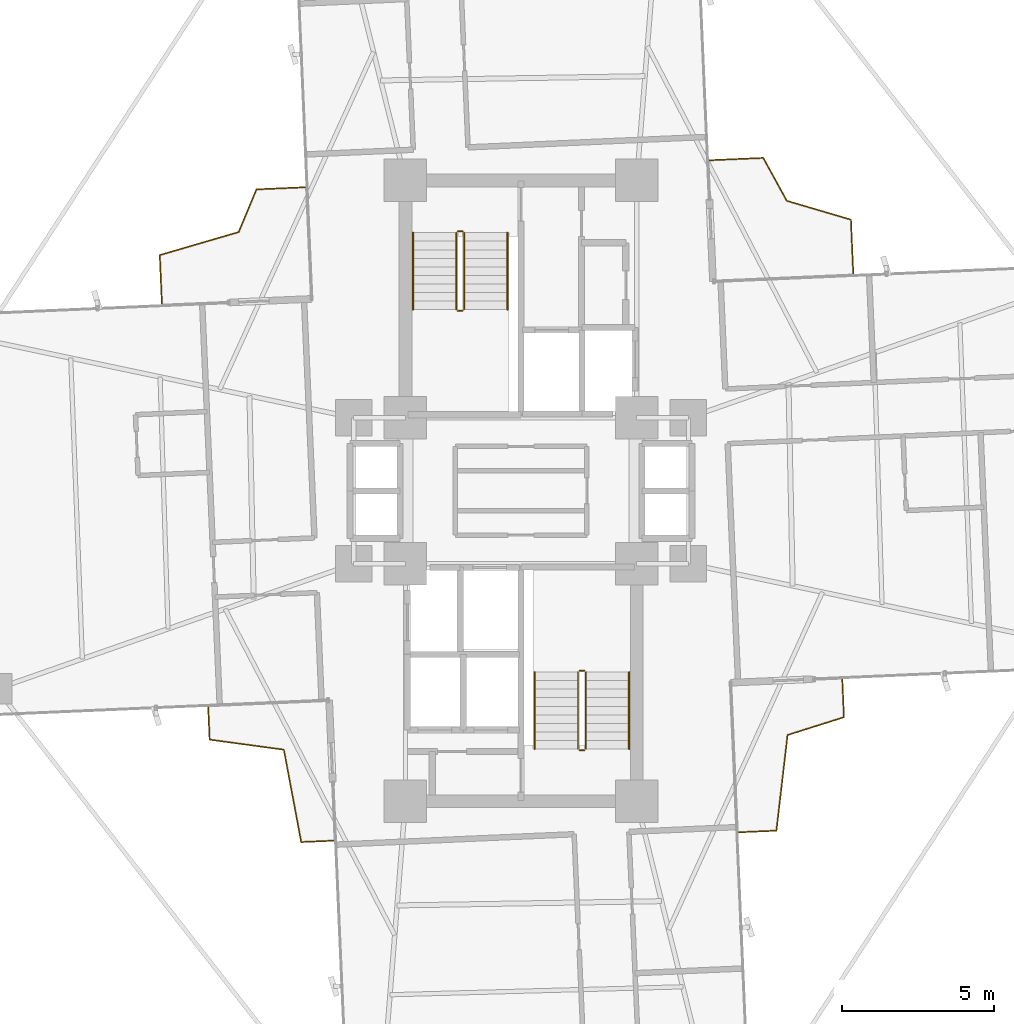
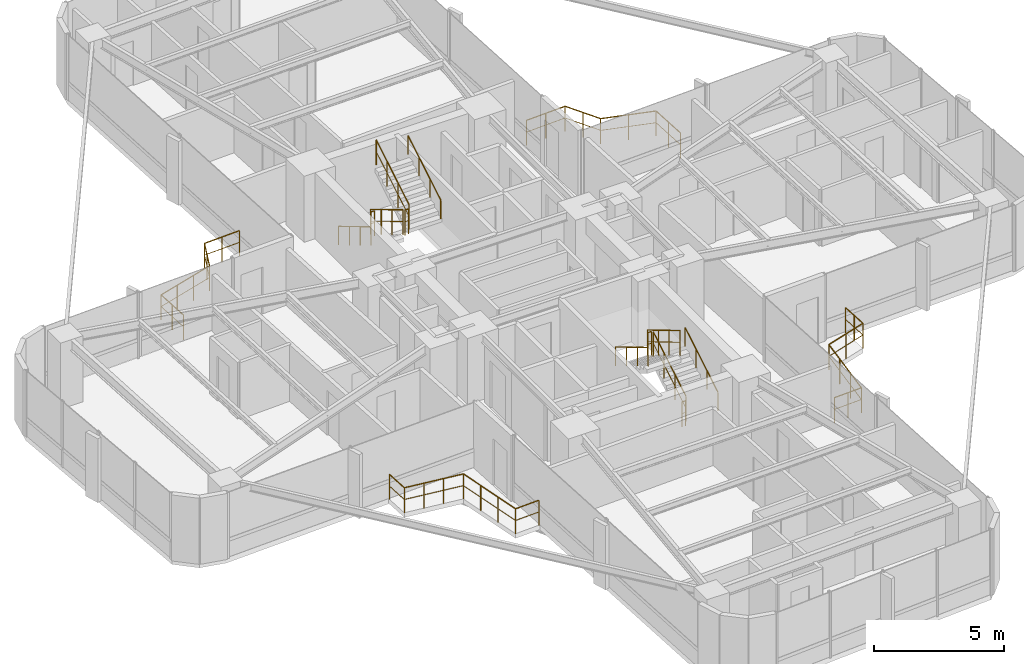
# One storey, part 26 of 26: 16 railings.
"""IFC4 building model written with IfcOpenShell, lengths in metres."""

from ifc_helpers import new_model, si_unit, direction, frame, origin, origin_2d, place, context, subcontext, project, spatial, circle, extrude, material, type_object, element, save


model = new_model("IFC4")

# Units and contexts
model_context = context("Model", 3, precision=1e-05, world=origin(), true_north=direction((0.0, 1.0)))
body_context = subcontext(model_context, "Body", "Model", "MODEL_VIEW")
ifc_project = project(units=[si_unit("LENGTHUNIT", "METRE"), si_unit("AREAUNIT", "SQUARE_METRE"), si_unit("VOLUMEUNIT", "CUBIC_METRE"), si_unit("PLANEANGLEUNIT", "RADIAN"), si_unit("MASSUNIT", "GRAM", prefix="KILO")], contexts=[model_context])

# Site, building, storey
site_placement = place(None, origin())
site = spatial("IfcSite", under=ifc_project, at=site_placement, CompositionType="ELEMENT")
building_placement = place(site_placement, origin())
building = spatial("IfcBuilding", under=site, at=building_placement, Name="Sahyath Konkavel Grand Hotel", CompositionType="ELEMENT")
storey_placement = place(building_placement, frame((0.0, 0.0, 128.199951171875)))
storey = spatial("IfcBuildingStorey", under=building, at=storey_placement, Name="L35", CompositionType="ELEMENT", Elevation=128.199951171875)

# Railings
ifc_material_1 = material(Name="Anodised Bronze Aluminium", Category="aluminium")
railing_type_1 = type_object("IfcRailingType", Name="RLG-BALC-1200", PredefinedType="GUARDRAIL", material=ifc_material_1)
railing_1_placement = place(storey_placement, frame((10.916748046875, 7.14306640625, 0.0)))
element("IfcRailing", 1, at=railing_1_placement, inside=storey, type_object=railing_type_1, Name="L35 Winter-Garden Guard NE", PredefinedType="GUARDRAIL", context=body_context, shape_type="SweptSolid", body=[
    extrude(circle(Radius=0.02392578125, at=origin_2d()), frame((0.0, 0.001953125, 1.17578125), z_axis=(-0.043616920703, 0.999048329276, 0.0), x_axis=(-0.999048329276, -0.043616920703, 0.0)), (0.0, 0.0, 1.0), 1.764892578125),
    extrude(circle(Radius=0.01416015625, at=origin_2d()), frame((0.0, 0.001953125, 0.6240234375), z_axis=(-0.043616920703, 0.999048329276, 0.0), x_axis=(-0.999048329276, -0.043616920703, 0.0)), (0.0, 0.0, 1.0), 1.764892578125),
    extrude(circle(Radius=0.02392578125, at=origin_2d()), frame((-0.0791015625, 1.767578125, 1.17578125), z_axis=(-0.959342486793, 0.282244562453, 0.0), x_axis=(-0.282244562453, -0.959342486793, 0.0)), (0.0, 0.0, 1.0), 2.192138671875),
    extrude(circle(Radius=0.01416015625, at=origin_2d()), frame((-0.0791015625, 1.767578125, 0.6240234375), z_axis=(-0.959342486793, 0.282244562453, 0.0), x_axis=(-0.282244562453, -0.959342486793, 0.0)), (0.0, 0.0, 1.0), 2.192138671875),
    extrude(circle(Radius=0.02392578125, at=origin_2d()), frame((-2.18505859375, 2.388671875, 1.17578125), z_axis=(-0.481020878496, 0.876709139026, 0.0), x_axis=(-0.876709139026, -0.481020878496, 0.0)), (0.0, 0.0, 1.0), 1.60400390625),
    extrude(circle(Radius=0.01416015625, at=origin_2d()), frame((-2.18505859375, 2.388671875, 0.6240234375), z_axis=(-0.481020878496, 0.876709139026, 0.0), x_axis=(-0.876709139026, -0.481020878496, 0.0)), (0.0, 0.0, 1.0), 1.60400390625),
    extrude(circle(Radius=0.02392578125, at=origin_2d()), frame((-2.95947265625, 3.796630859375, 1.17578125), z_axis=(-0.999042305176, -0.043754685098, 0.0), x_axis=(0.043754685098, -0.999042305176, 0.0)), (0.0, 0.0, 1.0), 1.764892578125),
    extrude(circle(Radius=0.01416015625, at=origin_2d()), frame((-2.95947265625, 3.796630859375, 0.6240234375), z_axis=(-0.999042305176, -0.043754685098, 0.0), x_axis=(0.043754685098, -0.999042305176, 0.0)), (0.0, 0.0, 1.0), 1.764892578125),
    extrude(circle(Radius=0.02099609375, at=origin_2d()), origin(), (0.0, 0.0, 1.0), 1.15185546875),
    extrude(circle(Radius=0.02099609375, at=origin_2d()), frame((-0.03857421875, 0.883544921875, 0.0)), (0.0, 0.0, 1.0), 1.15185546875),
    extrude(circle(Radius=0.02099609375, at=origin_2d()), frame((-0.0771484375, 1.76708984375, 0.0)), (0.0, 0.0, 1.0), 1.15185546875),
    extrude(circle(Radius=0.02099609375, at=origin_2d()), frame((-1.130615234375, 2.0771484375, 0.0)), (0.0, 0.0, 1.0), 1.15185546875),
    extrude(circle(Radius=0.02099609375, at=origin_2d()), frame((-2.18408203125, 2.386962890625, 0.0)), (0.0, 0.0, 1.0), 1.15185546875),
    extrude(circle(Radius=0.02099609375, at=origin_2d()), frame((-2.57080078125, 3.091796875, 0.0)), (0.0, 0.0, 1.0), 1.15185546875),
    extrude(circle(Radius=0.02099609375, at=origin_2d()), frame((-2.95751953125, 3.796630859375, 0.0)), (0.0, 0.0, 1.0), 1.15185546875),
    extrude(circle(Radius=0.02099609375, at=origin_2d()), frame((-3.841064453125, 3.7578125, 0.0)), (0.0, 0.0, 1.0), 1.15185546875),
    extrude(circle(Radius=0.02099609375, at=origin_2d()), frame((-4.724609375, 3.71923828125, 0.0)), (0.0, 0.0, 1.0), 1.15185546875),
])
railing_2_placement = place(storey_placement, frame((-7.101806640625, 9.9755859375, 0.0)))
element("IfcRailing", 2, at=railing_2_placement, inside=storey, type_object=railing_type_1, Name="L35 Winter-Garden Guard NW", PredefinedType="GUARDRAIL", context=body_context, shape_type="SweptSolid", body=[
    extrude(circle(Radius=0.02392578125, at=origin_2d()), frame((-0.001953125, 0.0, 1.17578125), z_axis=(-0.999049218693, -0.043596543765, 0.0), x_axis=(0.043596543765, -0.999049218693, 0.0)), (0.0, 0.0, 1.0), 1.592041015625),
    extrude(circle(Radius=0.01416015625, at=origin_2d()), frame((-0.001953125, 0.0, 0.6240234375), z_axis=(-0.999049218693, -0.043596543765, 0.0), x_axis=(0.043596543765, -0.999049218693, 0.0)), (0.0, 0.0, 1.0), 1.592041015625),
    extrude(circle(Radius=0.02392578125, at=origin_2d()), frame((-1.59521484375, -0.071533203125, 1.17578125), z_axis=(-0.384101807296, -0.923290745991, 0.0), x_axis=(0.923290745991, -0.384101807296, 0.0)), (0.0, 0.0, 1.0), 1.51513671875),
    extrude(circle(Radius=0.01416015625, at=origin_2d()), frame((-1.59521484375, -0.071533203125, 0.6240234375), z_axis=(-0.384101807296, -0.923290745991, 0.0), x_axis=(0.923290745991, -0.384101807296, 0.0)), (0.0, 0.0, 1.0), 1.51513671875),
    extrude(circle(Radius=0.02392578125, at=origin_2d()), frame((-2.179931640625, -1.47265625, 1.17578125), z_axis=(-0.959863265819, -0.280468377775, 0.0), x_axis=(0.280468377775, -0.959863265819, 0.0)), (0.0, 0.0, 1.0), 2.697998046875),
    extrude(circle(Radius=0.01416015625, at=origin_2d()), frame((-2.179931640625, -1.47265625, 0.6240234375), z_axis=(-0.959863265819, -0.280468377775, 0.0), x_axis=(0.280468377775, -0.959863265819, 0.0)), (0.0, 0.0, 1.0), 2.697998046875),
    extrude(circle(Radius=0.02392578125, at=origin_2d()), frame((-4.771484375, -2.23193359375, 1.17578125), z_axis=(0.04374253696, -0.99904283715, 0.0), x_axis=(0.99904283715, 0.04374253696, 0.0)), (0.0, 0.0, 1.0), 1.59228515625),
    extrude(circle(Radius=0.01416015625, at=origin_2d()), frame((-4.771484375, -2.23193359375, 0.6240234375), z_axis=(0.04374253696, -0.99904283715, 0.0), x_axis=(0.99904283715, 0.04374253696, 0.0)), (0.0, 0.0, 1.0), 1.59228515625),
    extrude(circle(Radius=0.02099609375, at=origin_2d()), origin(), (0.0, 0.0, 1.0), 1.15185546875),
    extrude(circle(Radius=0.02099609375, at=origin_2d()), frame((-0.79736328125, -0.03466796875, 0.0)), (0.0, 0.0, 1.0), 1.15185546875),
    extrude(circle(Radius=0.02099609375, at=origin_2d()), frame((-1.594482421875, -0.069580078125, 0.0)), (0.0, 0.0, 1.0), 1.15185546875),
    extrude(circle(Radius=0.02099609375, at=origin_2d()), frame((-1.88623046875, -0.77099609375, 0.0)), (0.0, 0.0, 1.0), 1.15185546875),
    extrude(circle(Radius=0.02099609375, at=origin_2d()), frame((-2.177978515625, -1.47216796875, 0.0)), (0.0, 0.0, 1.0), 1.15185546875),
    extrude(circle(Radius=0.02099609375, at=origin_2d()), frame((-3.04248046875, -1.724853515625, 0.0)), (0.0, 0.0, 1.0), 1.15185546875),
    extrude(circle(Radius=0.02099609375, at=origin_2d()), frame((-3.906982421875, -1.977294921875, 0.0)), (0.0, 0.0, 1.0), 1.15185546875),
    extrude(circle(Radius=0.02099609375, at=origin_2d()), frame((-4.771484375, -2.22998046875, 0.0)), (0.0, 0.0, 1.0), 1.15185546875),
    extrude(circle(Radius=0.02099609375, at=origin_2d()), frame((-4.736572265625, -3.02734375, 0.0)), (0.0, 0.0, 1.0), 1.15185546875),
    extrude(circle(Radius=0.02099609375, at=origin_2d()), frame((-4.70166015625, -3.82470703125, 0.0)), (0.0, 0.0, 1.0), 1.15185546875),
])
railing_3_placement = place(storey_placement, frame((-10.281494140625, -7.115234375, 0.0)))
element("IfcRailing", 3, at=railing_3_placement, inside=storey, type_object=railing_type_1, Name="L35 Winter-Garden Guard SW", PredefinedType="GUARDRAIL", context=body_context, shape_type="SweptSolid", body=[
    extrude(circle(Radius=0.02392578125, at=origin_2d()), frame((0.0, -0.001953125, 1.17578125), z_axis=(0.043626546244, -0.999047908993, 0.0), x_axis=(0.999047908993, 0.043626546244, 0.0)), (0.0, 0.0, 1.0), 1.059326171875),
    extrude(circle(Radius=0.01416015625, at=origin_2d()), frame((0.0, -0.001953125, 0.6240234375), z_axis=(0.043626546244, -0.999047908993, 0.0), x_axis=(0.999047908993, 0.043626546244, 0.0)), (0.0, 0.0, 1.0), 1.059326171875),
    extrude(circle(Radius=0.02392578125, at=origin_2d()), frame((0.04833984375, -1.0625, 1.17578125), z_axis=(0.990924699032, -0.134418156691, 0.0), x_axis=(0.134418156691, 0.990924699032, 0.0)), (0.0, 0.0, 1.0), 2.45703125),
    extrude(circle(Radius=0.01416015625, at=origin_2d()), frame((0.04833984375, -1.0625, 0.6240234375), z_axis=(0.990924699032, -0.134418156691, 0.0), x_axis=(0.134418156691, 0.990924699032, 0.0)), (0.0, 0.0, 1.0), 2.45703125),
    extrude(circle(Radius=0.02392578125, at=origin_2d()), frame((2.485595703125, -1.39501953125, 1.17578125), z_axis=(0.184474643818, -0.9828372733, 0.0), x_axis=(0.9828372733, 0.184474643818, 0.0)), (0.0, 0.0, 1.0), 3.0849609375),
    extrude(circle(Radius=0.01416015625, at=origin_2d()), frame((2.485595703125, -1.39501953125, 0.6240234375), z_axis=(0.184474643818, -0.9828372733, 0.0), x_axis=(0.9828372733, 0.184474643818, 0.0)), (0.0, 0.0, 1.0), 3.0849609375),
    extrude(circle(Radius=0.02392578125, at=origin_2d()), frame((3.056884765625, -4.428955078125, 1.17578125), z_axis=(0.999047908993, 0.043626546244, 0.0), x_axis=(-0.043626546244, 0.999047908993, 0.0)), (0.0, 0.0, 1.0), 1.059326171875),
    extrude(circle(Radius=0.01416015625, at=origin_2d()), frame((3.056884765625, -4.428955078125, 0.6240234375), z_axis=(0.999047908993, 0.043626546244, 0.0), x_axis=(-0.043626546244, 0.999047908993, 0.0)), (0.0, 0.0, 1.0), 1.059326171875),
    extrude(circle(Radius=0.02099609375, at=origin_2d()), origin(), (0.0, 0.0, 1.0), 1.15185546875),
    extrude(circle(Radius=0.02099609375, at=origin_2d()), frame((0.04638671875, -1.062255859375, 0.0)), (0.0, 0.0, 1.0), 1.15185546875),
    extrude(circle(Radius=0.02099609375, at=origin_2d()), frame((0.859375, -1.172607421875, 0.0)), (0.0, 0.0, 1.0), 1.15185546875),
    extrude(circle(Radius=0.02099609375, at=origin_2d()), frame((1.672119140625, -1.28271484375, 0.0)), (0.0, 0.0, 1.0), 1.15185546875),
    extrude(circle(Radius=0.02099609375, at=origin_2d()), frame((2.485107421875, -1.39306640625, 0.0)), (0.0, 0.0, 1.0), 1.15185546875),
    extrude(circle(Radius=0.02099609375, at=origin_2d()), frame((2.675048828125, -2.405029296875, 0.0)), (0.0, 0.0, 1.0), 1.15185546875),
    extrude(circle(Radius=0.02099609375, at=origin_2d()), frame((2.864990234375, -3.4169921875, 0.0)), (0.0, 0.0, 1.0), 1.15185546875),
    extrude(circle(Radius=0.02099609375, at=origin_2d()), frame((3.054931640625, -4.428955078125, 0.0)), (0.0, 0.0, 1.0), 1.15185546875),
    extrude(circle(Radius=0.02099609375, at=origin_2d()), frame((4.1171875, -4.382568359375, 0.0)), (0.0, 0.0, 1.0), 1.15185546875),
])
railing_4_placement = place(storey_placement, frame((7.15625, -11.222412109375, 0.0)))
element("IfcRailing", 4, at=railing_4_placement, inside=storey, type_object=railing_type_1, Name="L35 Winter-Garden Guard SE", PredefinedType="GUARDRAIL", context=body_context, shape_type="SweptSolid", body=[
    extrude(circle(Radius=0.02392578125, at=origin_2d()), frame((0.001953125, 0.0, 1.17578125), z_axis=(0.99905541285, 0.043454367502, 0.0), x_axis=(-0.043454367502, 0.99905541285, 0.0)), (0.0, 0.0, 1.0), 1.23193359375),
    extrude(circle(Radius=0.01416015625, at=origin_2d()), frame((0.001953125, 0.0, 0.6240234375), z_axis=(0.99905541285, 0.043454367502, 0.0), x_axis=(-0.043454367502, 0.99905541285, 0.0)), (0.0, 0.0, 1.0), 1.23193359375),
    extrude(circle(Radius=0.02392578125, at=origin_2d()), frame((1.235107421875, 0.0556640625, 1.17578125), z_axis=(0.116035465783, 0.993245070806, 0.0), x_axis=(-0.993245070806, 0.116035465783, 0.0)), (0.0, 0.0, 1.0), 3.160400390625),
    extrude(circle(Radius=0.01416015625, at=origin_2d()), frame((1.235107421875, 0.0556640625, 0.6240234375), z_axis=(0.116035465783, 0.993245070806, 0.0), x_axis=(-0.993245070806, 0.116035465783, 0.0)), (0.0, 0.0, 1.0), 3.160400390625),
    extrude(circle(Radius=0.02392578125, at=origin_2d()), frame((1.60400390625, 3.197265625, 1.17578125), z_axis=(0.953506659141, 0.301371947887, 0.0), x_axis=(-0.301371947887, 0.953506659141, 0.0)), (0.0, 0.0, 1.0), 1.938720703125),
    extrude(circle(Radius=0.01416015625, at=origin_2d()), frame((1.60400390625, 3.197265625, 0.6240234375), z_axis=(0.953506659141, 0.301371947887, 0.0), x_axis=(-0.301371947887, 0.953506659141, 0.0)), (0.0, 0.0, 1.0), 1.938720703125),
    extrude(circle(Radius=0.02392578125, at=origin_2d()), frame((3.454345703125, 3.7841796875, 1.17578125), z_axis=(-0.043651511839, 0.99904681848, 0.0), x_axis=(-0.99904681848, -0.043651511839, 0.0)), (0.0, 0.0, 1.0), 1.23193359375),
    extrude(circle(Radius=0.01416015625, at=origin_2d()), frame((3.454345703125, 3.7841796875, 0.6240234375), z_axis=(-0.043651511839, 0.99904681848, 0.0), x_axis=(-0.99904681848, -0.043651511839, 0.0)), (0.0, 0.0, 1.0), 1.23193359375),
    extrude(circle(Radius=0.02099609375, at=origin_2d()), origin(), (0.0, 0.0, 1.0), 1.15185546875),
    extrude(circle(Radius=0.02099609375, at=origin_2d()), frame((0.617431640625, 0.02685546875, 0.0)), (0.0, 0.0, 1.0), 1.15185546875),
    extrude(circle(Radius=0.02099609375, at=origin_2d()), frame((1.23486328125, 0.0537109375, 0.0)), (0.0, 0.0, 1.0), 1.15185546875),
    extrude(circle(Radius=0.02099609375, at=origin_2d()), frame((1.357177734375, 1.101318359375, 0.0)), (0.0, 0.0, 1.0), 1.15185546875),
    extrude(circle(Radius=0.02099609375, at=origin_2d()), frame((1.479736328125, 2.149169921875, 0.0)), (0.0, 0.0, 1.0), 1.15185546875),
    extrude(circle(Radius=0.02099609375, at=origin_2d()), frame((1.60205078125, 3.19677734375, 0.0)), (0.0, 0.0, 1.0), 1.15185546875),
    extrude(circle(Radius=0.02099609375, at=origin_2d()), frame((2.5283203125, 3.489501953125, 0.0)), (0.0, 0.0, 1.0), 1.15185546875),
    extrude(circle(Radius=0.02099609375, at=origin_2d()), frame((3.454345703125, 3.7822265625, 0.0)), (0.0, 0.0, 1.0), 1.15185546875),
    extrude(circle(Radius=0.02099609375, at=origin_2d()), frame((3.42724609375, 4.399658203125, 0.0)), (0.0, 0.0, 1.0), 1.15185546875),
    extrude(circle(Radius=0.02099609375, at=origin_2d()), frame((3.400390625, 5.01708984375, 0.0)), (0.0, 0.0, 1.0), 1.15185546875),
])
ifc_material_2 = material(Name="Steel E350", Category="steel")
railing_type_2 = type_object("IfcRailingType", Name="RLG-STAIR-GRD", PredefinedType="GUARDRAIL", material=ifc_material_2)
railing_5_placement = place(storey_placement, frame((-2.1298828125, 8.47998046875, 0.16748046875)))
element("IfcRailing", 5, at=railing_5_placement, inside=storey, type_object=railing_type_2, Name="L35 ST-1 stair guard 1", PredefinedType="GUARDRAIL", context=body_context, shape_type="SweptSolid", body=[
    extrude(circle(Radius=0.02392578125, at=origin_2d()), frame((0.0, -0.001708984375, 1.177001953125), z_axis=(0.0, -0.858159760407, 0.513382728203), x_axis=(1.0, 0.0, 0.0)), (0.0, 0.0, 1.0), 2.9326171875),
    extrude(circle(Radius=0.01416015625, at=origin_2d()), frame((0.0, -0.001708984375, 0.625), z_axis=(0.0, -0.858159760407, 0.513382728203), x_axis=(1.0, 0.0, 0.0)), (0.0, 0.0, 1.0), 2.9326171875),
    extrude(circle(Radius=0.02099609375, at=origin_2d()), origin(), (0.0, 0.0, 1.0), 1.15185546875),
    extrude(circle(Radius=0.02099609375, at=origin_2d()), frame((0.0, -0.840087890625, 0.50244140625)), (0.0, 0.0, 1.0), 1.15185546875),
    extrude(circle(Radius=0.02099609375, at=origin_2d()), frame((0.0, -1.679931640625, 1.005126953125)), (0.0, 0.0, 1.0), 1.15185546875),
    extrude(circle(Radius=0.02099609375, at=origin_2d()), frame((0.0, -2.52001953125, 1.507568359375)), (0.0, 0.0, 1.0), 1.15185546875),
])
railing_6_placement = place(storey_placement, frame((-2.080078125, 5.909912109375, 1.675048828125)))
element("IfcRailing", 6, at=railing_6_placement, inside=storey, type_object=railing_type_2, Name="L35 ST-1 stair guard 2", PredefinedType="GUARDRAIL", context=body_context, shape_type="SweptSolid", body=[
    extrude(circle(Radius=0.02392578125, at=origin_2d()), frame((0.001953125, 0.0, 1.17578125), z_axis=(1.0, 0.0, 0.0), x_axis=(0.0, 1.0, 0.0)), (0.0, 0.0, 1.0), 0.15625),
    extrude(circle(Radius=0.01416015625, at=origin_2d()), frame((0.001953125, 0.0, 0.6240234375), z_axis=(1.0, 0.0, 0.0), x_axis=(0.0, 1.0, 0.0)), (0.0, 0.0, 1.0), 0.15625),
    extrude(circle(Radius=0.02099609375, at=origin_2d()), origin(), (0.0, 0.0, 1.0), 1.15185546875),
    extrude(circle(Radius=0.02099609375, at=origin_2d()), frame((0.16015625, 0.0, 0.0)), (0.0, 0.0, 1.0), 1.15185546875),
])
railing_7_placement = place(storey_placement, frame((-1.8701171875, 5.9599609375, 1.842529296875)))
element("IfcRailing", 7, at=railing_7_placement, inside=storey, type_object=railing_type_2, Name="L35 ST-1 stair guard 3", PredefinedType="GUARDRAIL", context=body_context, shape_type="SweptSolid", body=[
    extrude(circle(Radius=0.02392578125, at=origin_2d()), frame((0.0, 0.001708984375, 1.177001953125), z_axis=(0.0, 0.858159760407, 0.513382728203), x_axis=(-1.0, 0.0, 0.0)), (0.0, 0.0, 1.0), 2.9326171875),
    extrude(circle(Radius=0.01416015625, at=origin_2d()), frame((0.0, 0.001708984375, 0.625), z_axis=(0.0, 0.858159760407, 0.513382728203), x_axis=(-1.0, 0.0, 0.0)), (0.0, 0.0, 1.0), 2.9326171875),
    extrude(circle(Radius=0.02099609375, at=origin_2d()), origin(), (0.0, 0.0, 1.0), 1.15185546875),
    extrude(circle(Radius=0.02099609375, at=origin_2d()), frame((0.0, 0.840087890625, 0.50244140625)), (0.0, 0.0, 1.0), 1.15185546875),
    extrude(circle(Radius=0.02099609375, at=origin_2d()), frame((0.0, 1.679931640625, 1.005126953125)), (0.0, 0.0, 1.0), 1.15185546875),
    extrude(circle(Radius=0.02099609375, at=origin_2d()), frame((0.0, 2.52001953125, 1.507568359375)), (0.0, 0.0, 1.0), 1.15185546875),
])
railing_8_placement = place(storey_placement, frame((-2.080078125, 8.530029296875, 0.0)))
element("IfcRailing", 8, at=railing_8_placement, inside=storey, type_object=railing_type_2, Name="L35 ST-1 stair guard 4", PredefinedType="GUARDRAIL", context=body_context, shape_type="SweptSolid", body=[
    extrude(circle(Radius=0.02392578125, at=origin_2d()), frame((0.001953125, 0.0, 1.17578125), z_axis=(1.0, 0.0, 0.0), x_axis=(0.0, 1.0, 0.0)), (0.0, 0.0, 1.0), 0.15625),
    extrude(circle(Radius=0.01416015625, at=origin_2d()), frame((0.001953125, 0.0, 0.6240234375), z_axis=(1.0, 0.0, 0.0), x_axis=(0.0, 1.0, 0.0)), (0.0, 0.0, 1.0), 0.15625),
    extrude(circle(Radius=0.02099609375, at=origin_2d()), origin(), (0.0, 0.0, 1.0), 1.15185546875),
    extrude(circle(Radius=0.02099609375, at=origin_2d()), frame((0.16015625, 0.0, 0.0)), (0.0, 0.0, 1.0), 1.15185546875),
])
railing_9_placement = place(storey_placement, frame((2.1298828125, -8.47998046875, 0.16748046875)))
element("IfcRailing", 9, at=railing_9_placement, inside=storey, type_object=railing_type_2, Name="L35 ST-2 stair guard 1", PredefinedType="GUARDRAIL", context=body_context, shape_type="SweptSolid", body=[
    extrude(circle(Radius=0.02392578125, at=origin_2d()), frame((0.0, 0.001708984375, 1.177001953125), z_axis=(0.0, 0.858159760407, 0.513382728203), x_axis=(-1.0, 0.0, 0.0)), (0.0, 0.0, 1.0), 2.9326171875),
    extrude(circle(Radius=0.01416015625, at=origin_2d()), frame((0.0, 0.001708984375, 0.625), z_axis=(0.0, 0.858159760407, 0.513382728203), x_axis=(-1.0, 0.0, 0.0)), (0.0, 0.0, 1.0), 2.9326171875),
    extrude(circle(Radius=0.02099609375, at=origin_2d()), origin(), (0.0, 0.0, 1.0), 1.15185546875),
    extrude(circle(Radius=0.02099609375, at=origin_2d()), frame((0.0, 0.840087890625, 0.50244140625)), (0.0, 0.0, 1.0), 1.15185546875),
    extrude(circle(Radius=0.02099609375, at=origin_2d()), frame((0.0, 1.679931640625, 1.005126953125)), (0.0, 0.0, 1.0), 1.15185546875),
    extrude(circle(Radius=0.02099609375, at=origin_2d()), frame((0.0, 2.52001953125, 1.507568359375)), (0.0, 0.0, 1.0), 1.15185546875),
])
railing_10_placement = place(storey_placement, frame((2.080078125, -5.909912109375, 1.675048828125)))
element("IfcRailing", 10, at=railing_10_placement, inside=storey, type_object=railing_type_2, Name="L35 ST-2 stair guard 2", PredefinedType="GUARDRAIL", context=body_context, shape_type="SweptSolid", body=[
    extrude(circle(Radius=0.02392578125, at=origin_2d()), frame((-0.001953125, 0.0, 1.17578125), z_axis=(-1.0, 0.0, 0.0), x_axis=(0.0, -1.0, 0.0)), (0.0, 0.0, 1.0), 0.15625),
    extrude(circle(Radius=0.01416015625, at=origin_2d()), frame((-0.001953125, 0.0, 0.6240234375), z_axis=(-1.0, 0.0, 0.0), x_axis=(0.0, -1.0, 0.0)), (0.0, 0.0, 1.0), 0.15625),
    extrude(circle(Radius=0.02099609375, at=origin_2d()), origin(), (0.0, 0.0, 1.0), 1.15185546875),
    extrude(circle(Radius=0.02099609375, at=origin_2d()), frame((-0.16015625, 0.0, 0.0)), (0.0, 0.0, 1.0), 1.15185546875),
])
railing_11_placement = place(storey_placement, frame((1.8701171875, -5.9599609375, 1.842529296875)))
element("IfcRailing", 11, at=railing_11_placement, inside=storey, type_object=railing_type_2, Name="L35 ST-2 stair guard 3", PredefinedType="GUARDRAIL", context=body_context, shape_type="SweptSolid", body=[
    extrude(circle(Radius=0.02392578125, at=origin_2d()), frame((0.0, -0.001708984375, 1.177001953125), z_axis=(0.0, -0.858159760407, 0.513382728203), x_axis=(1.0, 0.0, 0.0)), (0.0, 0.0, 1.0), 2.9326171875),
    extrude(circle(Radius=0.01416015625, at=origin_2d()), frame((0.0, -0.001708984375, 0.625), z_axis=(0.0, -0.858159760407, 0.513382728203), x_axis=(1.0, 0.0, 0.0)), (0.0, 0.0, 1.0), 2.9326171875),
    extrude(circle(Radius=0.02099609375, at=origin_2d()), origin(), (0.0, 0.0, 1.0), 1.15185546875),
    extrude(circle(Radius=0.02099609375, at=origin_2d()), frame((0.0, -0.840087890625, 0.50244140625)), (0.0, 0.0, 1.0), 1.15185546875),
    extrude(circle(Radius=0.02099609375, at=origin_2d()), frame((0.0, -1.679931640625, 1.005126953125)), (0.0, 0.0, 1.0), 1.15185546875),
    extrude(circle(Radius=0.02099609375, at=origin_2d()), frame((0.0, -2.52001953125, 1.507568359375)), (0.0, 0.0, 1.0), 1.15185546875),
])
railing_12_placement = place(storey_placement, frame((2.080078125, -8.530029296875, 0.0)))
element("IfcRailing", 12, at=railing_12_placement, inside=storey, type_object=railing_type_2, Name="L35 ST-2 stair guard 4", PredefinedType="GUARDRAIL", context=body_context, shape_type="SweptSolid", body=[
    extrude(circle(Radius=0.02392578125, at=origin_2d()), frame((-0.001953125, 0.0, 1.17578125), z_axis=(-1.0, 0.0, 0.0), x_axis=(0.0, -1.0, 0.0)), (0.0, 0.0, 1.0), 0.15625),
    extrude(circle(Radius=0.01416015625, at=origin_2d()), frame((-0.001953125, 0.0, 0.6240234375), z_axis=(-1.0, 0.0, 0.0), x_axis=(0.0, -1.0, 0.0)), (0.0, 0.0, 1.0), 0.15625),
    extrude(circle(Radius=0.02099609375, at=origin_2d()), origin(), (0.0, 0.0, 1.0), 1.15185546875),
    extrude(circle(Radius=0.02099609375, at=origin_2d()), frame((-0.16015625, 0.0, 0.0)), (0.0, 0.0, 1.0), 1.15185546875),
])
railing_type_3 = type_object("IfcRailingType", Name="RLG-STAIR-HND", PredefinedType="HANDRAIL", material=ifc_material_1)
railing_13_placement = place(storey_placement, frame((-3.550048828125, 8.47998046875, 0.16748046875)))
element("IfcRailing", 13, at=railing_13_placement, inside=storey, type_object=railing_type_3, Name="L35 ST-1 stair handrail 1", PredefinedType="HANDRAIL", context=body_context, shape_type="SweptSolid", body=[
    extrude(circle(Radius=0.02392578125, at=origin_2d()), frame((0.0, -0.001708984375, 0.876953125), z_axis=(0.0, -0.858159760407, 0.513382728203), x_axis=(1.0, 0.0, 0.0)), (0.0, 0.0, 1.0), 2.9326171875),
    extrude(circle(Radius=0.02099609375, at=origin_2d()), origin(), (0.0, 0.0, 1.0), 0.851806640625),
    extrude(circle(Radius=0.02099609375, at=origin_2d()), frame((0.0, -0.840087890625, 0.50244140625)), (0.0, 0.0, 1.0), 0.851806640625),
    extrude(circle(Radius=0.02099609375, at=origin_2d()), frame((0.0, -1.679931640625, 1.005126953125)), (0.0, 0.0, 1.0), 0.851806640625),
    extrude(circle(Radius=0.02099609375, at=origin_2d()), frame((0.0, -2.52001953125, 1.507568359375)), (0.0, 0.0, 1.0), 0.851806640625),
])
for number, where, name in (
    (14, (-0.449951171875, 5.9599609375, 1.842529296875), "L35 ST-1 stair handrail 2"),
    (15, (3.550048828125, -8.47998046875, 0.16748046875), "L35 ST-2 stair handrail 1"),
):
    element("IfcRailing", number, at=place(storey_placement, frame(where)), inside=storey, type_object=railing_type_3, Name=name, PredefinedType="HANDRAIL", context=body_context, shape_type="SweptSolid", body=[
        extrude(circle(Radius=0.02392578125, at=origin_2d()), frame((0.0, 0.001708984375, 0.876953125), z_axis=(0.0, 0.858159760407, 0.513382728203), x_axis=(-1.0, 0.0, 0.0)), (0.0, 0.0, 1.0), 2.9326171875),
        extrude(circle(Radius=0.02099609375, at=origin_2d()), origin(), (0.0, 0.0, 1.0), 0.851806640625),
        extrude(circle(Radius=0.02099609375, at=origin_2d()), frame((0.0, 0.840087890625, 0.50244140625)), (0.0, 0.0, 1.0), 0.851806640625),
        extrude(circle(Radius=0.02099609375, at=origin_2d()), frame((0.0, 1.679931640625, 1.005126953125)), (0.0, 0.0, 1.0), 0.851806640625),
        extrude(circle(Radius=0.02099609375, at=origin_2d()), frame((0.0, 2.52001953125, 1.507568359375)), (0.0, 0.0, 1.0), 0.851806640625),
    ])
railing_14_placement = place(storey_placement, frame((0.449951171875, -5.9599609375, 1.842529296875)))
element("IfcRailing", 16, at=railing_14_placement, inside=storey, type_object=railing_type_3, Name="L35 ST-2 stair handrail 2", PredefinedType="HANDRAIL", context=body_context, shape_type="SweptSolid", body=[
    extrude(circle(Radius=0.02392578125, at=origin_2d()), frame((0.0, -0.001708984375, 0.876953125), z_axis=(0.0, -0.858159760407, 0.513382728203), x_axis=(1.0, 0.0, 0.0)), (0.0, 0.0, 1.0), 2.9326171875),
    extrude(circle(Radius=0.02099609375, at=origin_2d()), origin(), (0.0, 0.0, 1.0), 0.851806640625),
    extrude(circle(Radius=0.02099609375, at=origin_2d()), frame((0.0, -0.840087890625, 0.50244140625)), (0.0, 0.0, 1.0), 0.851806640625),
    extrude(circle(Radius=0.02099609375, at=origin_2d()), frame((0.0, -1.679931640625, 1.005126953125)), (0.0, 0.0, 1.0), 0.851806640625),
    extrude(circle(Radius=0.02099609375, at=origin_2d()), frame((0.0, -2.52001953125, 1.507568359375)), (0.0, 0.0, 1.0), 0.851806640625),
])

save(model, "model.ifc")
